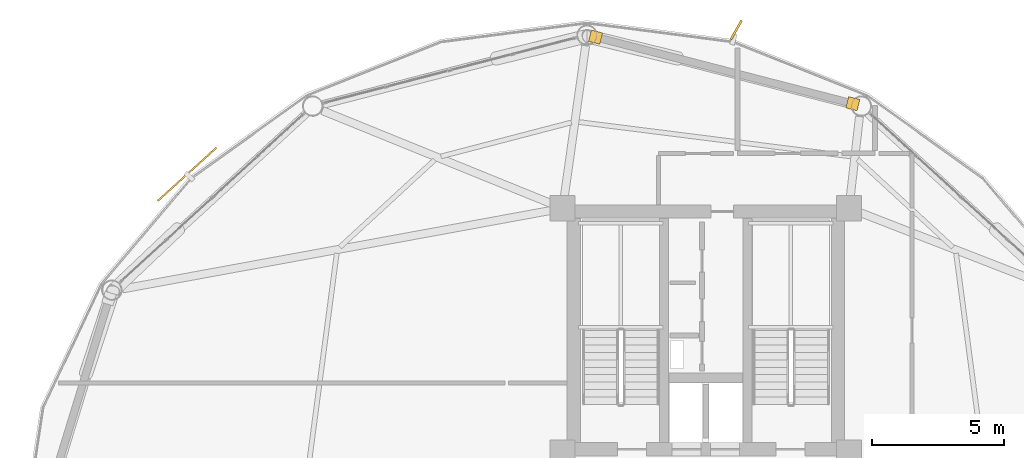
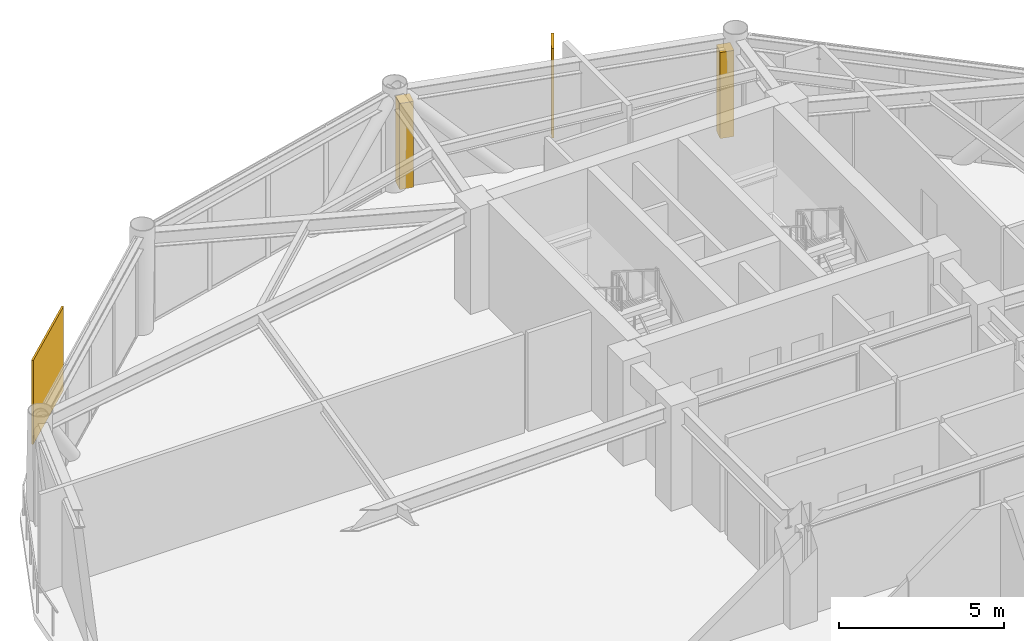
# One storey, part 27 of 27: 2 coverings, 2 shading devices.
"""IFC4 building model written with IfcOpenShell, lengths in metres."""

from ifc_helpers import new_model, si_unit, direction, frame, origin, origin_2d, place, context, subcontext, project, spatial, rectangle, extrude, source, transform, mapped, material, layer, layer_set, type_object, type_shapes, element, save


model = new_model("IFC4")

# Units and contexts
model_context = context("Model", 3, precision=1e-05, world=origin(), true_north=direction((0.0, 1.0)))
body_context = subcontext(model_context, "Body", "Model", "MODEL_VIEW")
ifc_project = project(units=[si_unit("LENGTHUNIT", "METRE"), si_unit("AREAUNIT", "SQUARE_METRE"), si_unit("VOLUMEUNIT", "CUBIC_METRE"), si_unit("PLANEANGLEUNIT", "RADIAN"), si_unit("MASSUNIT", "GRAM", prefix="KILO")], contexts=[model_context])

# Site, building, storey
site_placement = place(None, origin())
site = spatial("IfcSite", under=ifc_project, at=site_placement, CompositionType="ELEMENT")
building_placement = place(site_placement, origin())
building = spatial("IfcBuilding", under=site, at=building_placement, Name="Varnakorn Sky Granary", CompositionType="ELEMENT")
storey_placement = place(building_placement, frame((0.0, 0.0, 142.199951171875)))
storey = spatial("IfcBuildingStorey", under=building, at=storey_placement, Name="L35", CompositionType="ELEMENT", Elevation=142.199951171875)

# Shading devices
ifc_material = material(Name="Anodised Bronze Aluminium Alloy 6063-T6", Category="aluminium")
shading_device_type_1 = type_object("IfcShadingDeviceType", Name="SH-SCR-02", PredefinedType="USERDEFINED", material=ifc_material)
shared_shape_1 = source(origin(), body_context, "Body", "SweptSolid", [
    extrude(rectangle(XDim=3.0, YDim=0.06494140625, at=origin_2d()), origin(), (0.0, 0.0, 1.0), 3.10009765625),
])
type_shapes(shading_device_type_1, [shared_shape_1])
shading_device_1_placement = place(storey_placement, frame((-16.64404296875, 13.903564453125, -0.0400390625), z_axis=(0.0, 0.0, 1.0), x_axis=(-0.740856921082, -0.671662878597, 0.0)))
element("IfcShadingDevice", 1, at=shading_device_1_placement, inside=storey, type_object=shading_device_type_1, Name="Perforated Bronze Solar Screen Panel SCREEN L35-05", ObjectType="SCREEN", PredefinedType="USERDEFINED", context=body_context, shape_type="MappedRepresentation", body=[
    mapped(shared_shape_1, transform((0.0, 0.0, 0.0), x_axis=(1.0, 0.0, 0.0), y_axis=(0.0, 1.0, 0.0), z_axis=(0.0, 0.0, 1.0), scale=1.0)),
])
shading_device_type_2 = type_object("IfcShadingDeviceType", Name="SH-FIN-02", PredefinedType="USERDEFINED", material=ifc_material)
shared_shape_2 = source(origin(), body_context, "Body", "SweptSolid", [
    extrude(rectangle(XDim=0.0849609375, YDim=0.820068359375, at=origin_2d()), origin(), (0.0, 0.0, 1.0), 3.300048828125),
])
type_shapes(shading_device_type_2, [shared_shape_2])
shading_device_2_placement = place(storey_placement, frame((4.150634765625, 19.37158203125, -0.0400390625), z_axis=(0.0, 0.0, 1.0), x_axis=(-0.868177336597, 0.496254080305, 0.0)))
element("IfcShadingDevice", 2, at=shading_device_2_placement, inside=storey, type_object=shading_device_type_2, Name="Bronze Solar-Tracking Vertical Blade FIN L35-03", ObjectType="FIN", PredefinedType="USERDEFINED", context=body_context, shape_type="MappedRepresentation", body=[
    mapped(shared_shape_2, transform((0.0, 0.0, 0.0), x_axis=(1.0, 0.0, 0.0), y_axis=(0.0, 1.0, 0.0), z_axis=(0.0, 0.0, 1.0), scale=1.0)),
])

# Coverings
ifc_layer = layer(ifc_material, 0.050048828125, Name="Anodised Bronze Aluminium Alloy 6063-T6")
ifc_layer_set = layer_set([ifc_layer], Name="Anodised Bronze Aluminium Alloy 6063-T6")
covering_type = type_object("IfcCoveringType", Name="CV-CLAD-50", PredefinedType="CLADDING", material=ifc_layer_set)
shared_shape_3 = source(origin(), body_context, "Body", "SweptSolid", [
    extrude(rectangle(XDim=0.43994140625, YDim=0.43994140625, at=origin_2d()), origin(), (0.0, 0.0, 1.0), 3.179931640625),
])
type_shapes(covering_type, [shared_shape_3])
for number, where, z_axis, x_axis, name in (
    (3, (-1.1748046875, 19.098876953125, -0.02001953125), (0.0, 0.0, 1.0), (0.968147640378, -0.250380004054, 0.0), "Bronze Corner Pilaster Closure L35-P03-A"),
    (4, (8.565673828125, 16.580078125, -0.02001953125), (0.0, 0.0, 1.0), (0.968147640378, -0.250380004054, 0.0), "Bronze Corner Pilaster Closure L35-P03-B"),
):
    element("IfcCovering", number, at=place(storey_placement, frame(where, z_axis=z_axis, x_axis=x_axis)), inside=storey, type_object=covering_type, Name=name, PredefinedType="CLADDING", context=body_context, shape_type="MappedRepresentation", body=[
        mapped(shared_shape_3, transform((0.0, 0.0, 0.0), x_axis=(1.0, 0.0, 0.0), y_axis=(0.0, 1.0, 0.0), z_axis=(0.0, 0.0, 1.0), scale=1.0)),
    ])

save(model, "model.ifc")
